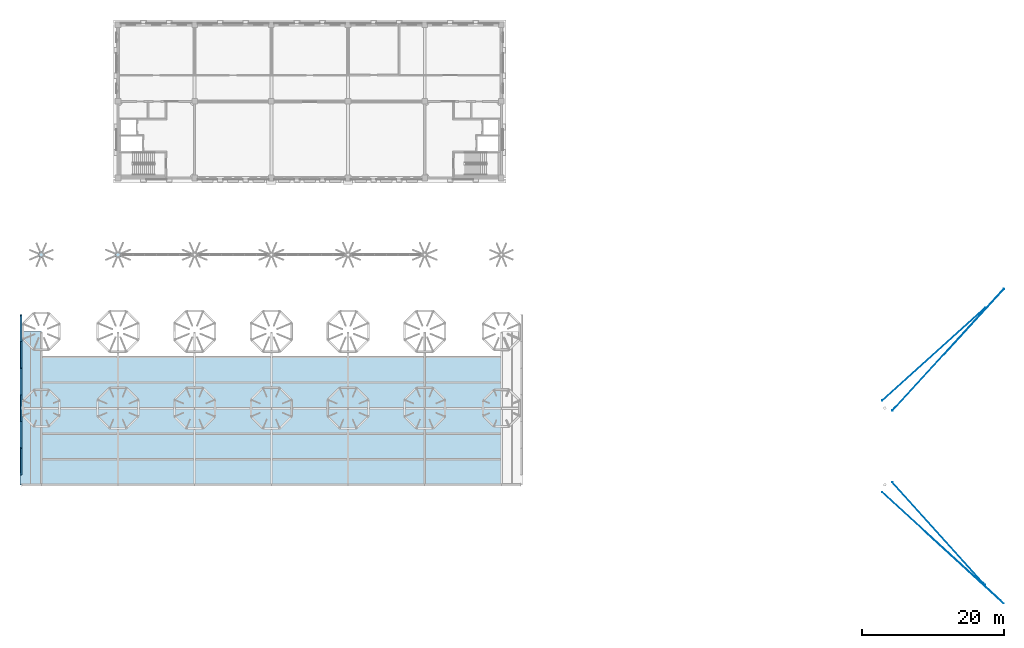
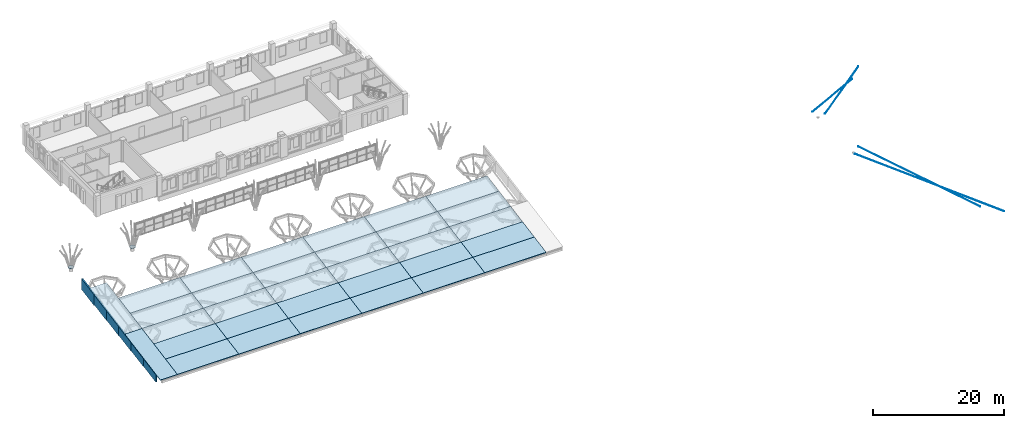
# One storey, part 17 of 42: 32 slabs, 8 plates, 4 members.
"""IFC4 building model written with IfcOpenShell, lengths in metres."""

from ifc_helpers import new_model, si_unit, direction, frame, origin, origin_2d, place, context, subcontext, project, spatial, polyline, circle, outline, extrude, material, layer, layer_set, material_profile, profile_set, type_object, element, save


model = new_model("IFC4")

# Units and contexts
model_context = context("Model", 3, precision=1e-05, world=origin(), true_north=direction((0.0, 1.0)))
body_context = subcontext(model_context, "Body", "Model", "MODEL_VIEW")
ifc_project = project(units=[si_unit("LENGTHUNIT", "METRE"), si_unit("AREAUNIT", "SQUARE_METRE"), si_unit("VOLUMEUNIT", "CUBIC_METRE"), si_unit("PLANEANGLEUNIT", "RADIAN"), si_unit("MASSUNIT", "GRAM", prefix="KILO")], contexts=[model_context])

# Site, building, storey
site_placement = place(None, origin())
site = spatial("IfcSite", under=ifc_project, at=site_placement, CompositionType="ELEMENT")
building_placement = place(site_placement, origin())
building = spatial("IfcBuilding", under=site, at=building_placement, Name="Magnolia Steps Interchange", CompositionType="ELEMENT")
storey_placement = place(building_placement, frame((0.0, 0.0, 12.60009765625)))
storey = spatial("IfcBuildingStorey", under=building, at=storey_placement, Name="L03", CompositionType="ELEMENT", Elevation=12.60009765625)

# Members
ifc_material_1 = material(Name="Steel S690 galvanised spiral strand rope", Category="steel")
ifc_material_profile_1 = material_profile(ifc_material_1, circle(Radius=0.030029296875, at=origin_2d()), Name="CABLE60")
ifc_profile_set_1 = profile_set([ifc_material_profile_1], Name="Steel S690 galvanised spiral strand rope")
member_type = type_object("IfcMemberType", Name="Cable stay CABLE60", PredefinedType="USERDEFINED", material=ifc_profile_set_1)
member_1_placement = place(storey_placement, frame((173.060791015625, 53.5537109375, 0.568603515625), z_axis=(0.631155779788, -0.699459569326, -0.335259142333), x_axis=(0.742426815236, 0.669927178146, 0.0)))
element("IfcMember", 1, at=member_1_placement, inside=storey, type_object=member_type, Name="Stay cable SP-C-SE-1", ObjectType="Cable stay", PredefinedType="USERDEFINED", context=body_context, shape_type="SweptSolid", body=[
    extrude(circle(Radius=0.030029296875, at=origin_2d()), origin(), (0.0, 0.0, 1.0), 20.709716796875),
])
member_2_placement = place(storey_placement, frame((171.646484375, 52.139404296875, 0.568603515625), z_axis=(0.704407407951, -0.646210852637, -0.293635381992), x_axis=(0.676011114118, 0.736891425916, 0.0)))
element("IfcMember", 2, at=member_2_placement, inside=storey, type_object=member_type, Name="Stay cable SP-C-SE-2", ObjectType="Cable stay", PredefinedType="USERDEFINED", context=body_context, shape_type="SweptSolid", body=[
    extrude(circle(Radius=0.030029296875, at=origin_2d()), origin(), (0.0, 0.0, 1.0), 24.298095703125),
])
member_3_placement = place(storey_placement, frame((171.646484375, 65.060791015625, 0.568603515625), z_axis=(0.699453548093, 0.631160984146, -0.3352619068), x_axis=(-0.669933401736, 0.742421199346, 0.0)))
element("IfcMember", 3, at=member_3_placement, inside=storey, type_object=member_type, Name="Stay cable SP-C-NE-1", ObjectType="Cable stay", PredefinedType="USERDEFINED", context=body_context, shape_type="SweptSolid", body=[
    extrude(circle(Radius=0.030029296875, at=origin_2d()), origin(), (0.0, 0.0, 1.0), 20.70947265625),
])
member_4_placement = place(storey_placement, frame((173.060791015625, 63.646484375, 0.568603515625), z_axis=(0.646205000656, 0.704411981652, -0.29363728856), x_axis=(-0.736896662004, 0.676005406434, 0.0)))
element("IfcMember", 4, at=member_4_placement, inside=storey, type_object=member_type, Name="Stay cable SP-C-NE-2", ObjectType="Cable stay", PredefinedType="USERDEFINED", context=body_context, shape_type="SweptSolid", body=[
    extrude(circle(Radius=0.030029296875, at=origin_2d()), origin(), (0.0, 0.0, 1.0), 24.2978515625),
])

# Slabs
ifc_material_2 = material(Name="Concrete C30", Category="concrete")
ifc_layer_1 = layer(ifc_material_2, 0.10009765625)
ifc_layer_set_1 = layer_set([ifc_layer_1], Name="Composite roof deck 100")
slab_type = type_object("IfcSlabType", Name="Composite roof deck 100", PredefinedType="ROOF", material=ifc_layer_set_1)
for number, where, z_axis, x_axis, name in (
    (5, (50.199951171875, 53.199951171875, 0.42431640625), (0.0, -0.179938102664, 0.983677934697), (1.0, 0.0, 0.0), "Composite roof deck panel"),
    (6, (50.199951171875, 64.0, 2.39990234375), (0.0, -0.179938102664, 0.983677934697), (1.0, 0.0, 0.0), "Composite roof deck panel"),
):
    element("IfcSlab", number, at=place(storey_placement, frame(where, z_axis=z_axis, x_axis=x_axis)), inside=storey, type_object=slab_type, Name=name, PredefinedType="ROOF", context=body_context, shape_type="SweptSolid", body=[
        extrude(outline(polyline([(0.0, 0.0), (3.0, 0.0), (3.0, 10.979252911), (0.0, 10.979252911), (0.0, 0.0)])), origin(), (0.0, -0.179938102664, -0.983677934697), 0.1015625),
    ])
slab_1_placement = place(storey_placement, frame((64.0, 53.199951171875, 0.42431640625), z_axis=(0.0, -0.179912650592, 0.983682590146), x_axis=(0.0, 0.983682590146, 0.179912650592)))
element("IfcSlab", 7, at=slab_1_placement, inside=storey, type_object=slab_type, Name="Composite roof deck panel", PredefinedType="ROOF", context=body_context, shape_type="SweptSolid", body=[
    extrude(outline(polyline([(0.0, 0.0), (3.65981638, 0.0), (3.65981638, 10.800048828), (0.0, 10.800048828), (0.0, 0.0)])), origin(), (-0.179912650592, 0.0, -0.983682590146), 0.1015625),
])
slab_2_placement = place(storey_placement, frame((64.0, 56.800048828125, 1.082763671875), z_axis=(0.0, -0.179989009178, 0.983668621323), x_axis=(0.0, 0.983668621323, 0.179989009178)))
element("IfcSlab", 8, at=slab_2_placement, inside=storey, type_object=slab_type, Name="Composite roof deck panel", PredefinedType="ROOF", context=body_context, shape_type="SweptSolid", body=[
    extrude(outline(polyline([(0.0, 0.0), (3.659620158, 0.0), (3.659620158, 10.800048828), (0.0, 10.800048828), (0.0, 0.0)])), origin(), (-0.179989009178, 0.0, -0.983668621323), 0.1015625),
])
for number, where, z_axis, x_axis, name in (
    (9, (64.0, 60.39990234375, 1.741455078125), (0.0, -0.179912650592, 0.983682590146), (0.0, 0.983682590146, 0.179912650592), "Composite roof deck panel"),
    (10, (64.0, 64.0, 2.39990234375), (0.0, -0.179912650592, 0.983682590146), (0.0, 0.983682590146, 0.179912650592), "Composite roof deck panel"),
):
    element("IfcSlab", number, at=place(storey_placement, frame(where, z_axis=z_axis, x_axis=x_axis)), inside=storey, type_object=slab_type, Name=name, PredefinedType="ROOF", context=body_context, shape_type="SweptSolid", body=[
        extrude(outline(polyline([(0.0, 0.0), (3.65981638, 0.0), (3.65981638, 10.800048828), (0.0, 10.800048828), (0.0, 0.0)])), origin(), (-0.179912650592, 0.0, -0.983682590146), 0.1015625),
    ])
slab_3_placement = place(storey_placement, frame((64.0, 67.60009765625, 3.058349609375), z_axis=(0.0, -0.179989009178, 0.983668621323), x_axis=(0.0, 0.983668621323, 0.179989009178)))
element("IfcSlab", 11, at=slab_3_placement, inside=storey, type_object=slab_type, Name="Composite roof deck panel", PredefinedType="ROOF", context=body_context, shape_type="SweptSolid", body=[
    extrude(outline(polyline([(0.0, 0.0), (3.659620158, 0.0), (3.659620158, 10.800048828), (0.0, 10.800048828), (0.0, 0.0)])), origin(), (-0.179989009178, 0.0, -0.983668621323), 0.1015625),
])
slab_4_placement = place(storey_placement, frame((74.800048828125, 53.199951171875, 0.42431640625), z_axis=(0.0, -0.179912650592, 0.983682590146), x_axis=(0.0, 0.983682590146, 0.179912650592)))
element("IfcSlab", 12, at=slab_4_placement, inside=storey, type_object=slab_type, Name="Composite roof deck panel", PredefinedType="ROOF", context=body_context, shape_type="SweptSolid", body=[
    extrude(outline(polyline([(0.0, 0.0), (3.65981638, 0.0), (3.65981638, 10.800048828), (0.0, 10.800048828), (0.0, 0.0)])), origin(), (-0.179912650592, 0.0, -0.983682590146), 0.1015625),
])
slab_5_placement = place(storey_placement, frame((74.800048828125, 56.800048828125, 1.082763671875), z_axis=(0.0, -0.179989009178, 0.983668621323), x_axis=(0.0, 0.983668621323, 0.179989009178)))
element("IfcSlab", 13, at=slab_5_placement, inside=storey, type_object=slab_type, Name="Composite roof deck panel", PredefinedType="ROOF", context=body_context, shape_type="SweptSolid", body=[
    extrude(outline(polyline([(0.0, 0.0), (3.659620158, 0.0), (3.659620158, 10.800048828), (0.0, 10.800048828), (0.0, 0.0)])), origin(), (-0.179989009178, 0.0, -0.983668621323), 0.1015625),
])
for number, where, z_axis, x_axis, name in (
    (14, (74.800048828125, 60.39990234375, 1.741455078125), (0.0, -0.179912650592, 0.983682590146), (0.0, 0.983682590146, 0.179912650592), "Composite roof deck panel"),
    (15, (74.800048828125, 64.0, 2.39990234375), (0.0, -0.179912650592, 0.983682590146), (0.0, 0.983682590146, 0.179912650592), "Composite roof deck panel"),
):
    element("IfcSlab", number, at=place(storey_placement, frame(where, z_axis=z_axis, x_axis=x_axis)), inside=storey, type_object=slab_type, Name=name, PredefinedType="ROOF", context=body_context, shape_type="SweptSolid", body=[
        extrude(outline(polyline([(0.0, 0.0), (3.65981638, 0.0), (3.65981638, 10.800048828), (0.0, 10.800048828), (0.0, 0.0)])), origin(), (-0.179912650592, 0.0, -0.983682590146), 0.1015625),
    ])
slab_6_placement = place(storey_placement, frame((74.800048828125, 67.60009765625, 3.058349609375), z_axis=(0.0, -0.179989009178, 0.983668621323), x_axis=(0.0, 0.983668621323, 0.179989009178)))
element("IfcSlab", 16, at=slab_6_placement, inside=storey, type_object=slab_type, Name="Composite roof deck panel", PredefinedType="ROOF", context=body_context, shape_type="SweptSolid", body=[
    extrude(outline(polyline([(0.0, 0.0), (3.659620158, 0.0), (3.659620158, 10.800048828), (0.0, 10.800048828), (0.0, 0.0)])), origin(), (-0.179989009178, 0.0, -0.983668621323), 0.1015625),
])
slab_7_placement = place(storey_placement, frame((85.60009765625, 53.199951171875, 0.42431640625), z_axis=(0.0, -0.179912650592, 0.983682590146), x_axis=(0.0, 0.983682590146, 0.179912650592)))
element("IfcSlab", 17, at=slab_7_placement, inside=storey, type_object=slab_type, Name="Composite roof deck panel", PredefinedType="ROOF", context=body_context, shape_type="SweptSolid", body=[
    extrude(outline(polyline([(0.0, 0.0), (3.65981638, 0.0), (3.65981638, 10.800048828), (0.0, 10.800048828), (0.0, 0.0)])), origin(), (-0.179912650592, 0.0, -0.983682590146), 0.1015625),
])
slab_8_placement = place(storey_placement, frame((85.60009765625, 56.800048828125, 1.082763671875), z_axis=(0.0, -0.179989009178, 0.983668621323), x_axis=(0.0, 0.983668621323, 0.179989009178)))
element("IfcSlab", 18, at=slab_8_placement, inside=storey, type_object=slab_type, Name="Composite roof deck panel", PredefinedType="ROOF", context=body_context, shape_type="SweptSolid", body=[
    extrude(outline(polyline([(0.0, 0.0), (3.659620158, 0.0), (3.659620158, 10.800048828), (0.0, 10.800048828), (0.0, 0.0)])), origin(), (-0.179989009178, 0.0, -0.983668621323), 0.1015625),
])
for number, where, z_axis, x_axis, name in (
    (19, (85.60009765625, 60.39990234375, 1.741455078125), (0.0, -0.179912650592, 0.983682590146), (0.0, 0.983682590146, 0.179912650592), "Composite roof deck panel"),
    (20, (85.60009765625, 64.0, 2.39990234375), (0.0, -0.179912650592, 0.983682590146), (0.0, 0.983682590146, 0.179912650592), "Composite roof deck panel"),
):
    element("IfcSlab", number, at=place(storey_placement, frame(where, z_axis=z_axis, x_axis=x_axis)), inside=storey, type_object=slab_type, Name=name, PredefinedType="ROOF", context=body_context, shape_type="SweptSolid", body=[
        extrude(outline(polyline([(0.0, 0.0), (3.65981638, 0.0), (3.65981638, 10.800048828), (0.0, 10.800048828), (0.0, 0.0)])), origin(), (-0.179912650592, 0.0, -0.983682590146), 0.1015625),
    ])
slab_9_placement = place(storey_placement, frame((85.60009765625, 67.60009765625, 3.058349609375), z_axis=(0.0, -0.179989009178, 0.983668621323), x_axis=(0.0, 0.983668621323, 0.179989009178)))
element("IfcSlab", 21, at=slab_9_placement, inside=storey, type_object=slab_type, Name="Composite roof deck panel", PredefinedType="ROOF", context=body_context, shape_type="SweptSolid", body=[
    extrude(outline(polyline([(0.0, 0.0), (3.659620158, 0.0), (3.659620158, 10.800048828), (0.0, 10.800048828), (0.0, 0.0)])), origin(), (-0.179989009178, 0.0, -0.983668621323), 0.1015625),
])
slab_10_placement = place(storey_placement, frame((96.39990234375, 53.199951171875, 0.42431640625), z_axis=(0.0, -0.179912650592, 0.983682590146), x_axis=(0.0, 0.983682590146, 0.179912650592)))
element("IfcSlab", 22, at=slab_10_placement, inside=storey, type_object=slab_type, Name="Composite roof deck panel", PredefinedType="ROOF", context=body_context, shape_type="SweptSolid", body=[
    extrude(outline(polyline([(0.0, 0.0), (3.65981638, 0.0), (3.65981638, 10.799804688), (0.0, 10.799804688), (0.0, 0.0)])), origin(), (-0.179912650592, 0.0, -0.983682590146), 0.1015625),
])
slab_11_placement = place(storey_placement, frame((96.39990234375, 56.800048828125, 1.082763671875), z_axis=(0.0, -0.179989009178, 0.983668621323), x_axis=(0.0, 0.983668621323, 0.179989009178)))
element("IfcSlab", 23, at=slab_11_placement, inside=storey, type_object=slab_type, Name="Composite roof deck panel", PredefinedType="ROOF", context=body_context, shape_type="SweptSolid", body=[
    extrude(outline(polyline([(0.0, 0.0), (3.659620158, 0.0), (3.659620158, 10.799804688), (0.0, 10.799804688), (0.0, 0.0)])), origin(), (-0.179989009178, 0.0, -0.983668621323), 0.1015625),
])
for number, where, z_axis, x_axis, name in (
    (24, (96.39990234375, 60.39990234375, 1.741455078125), (0.0, -0.179912650592, 0.983682590146), (0.0, 0.983682590146, 0.179912650592), "Composite roof deck panel"),
    (25, (96.39990234375, 64.0, 2.39990234375), (0.0, -0.179912650592, 0.983682590146), (0.0, 0.983682590146, 0.179912650592), "Composite roof deck panel"),
):
    element("IfcSlab", number, at=place(storey_placement, frame(where, z_axis=z_axis, x_axis=x_axis)), inside=storey, type_object=slab_type, Name=name, PredefinedType="ROOF", context=body_context, shape_type="SweptSolid", body=[
        extrude(outline(polyline([(0.0, 0.0), (3.65981638, 0.0), (3.65981638, 10.799804688), (0.0, 10.799804688), (0.0, 0.0)])), origin(), (-0.179912650592, 0.0, -0.983682590146), 0.1015625),
    ])
slab_12_placement = place(storey_placement, frame((96.39990234375, 67.60009765625, 3.058349609375), z_axis=(0.0, -0.179989009178, 0.983668621323), x_axis=(0.0, 0.983668621323, 0.179989009178)))
element("IfcSlab", 26, at=slab_12_placement, inside=storey, type_object=slab_type, Name="Composite roof deck panel", PredefinedType="ROOF", context=body_context, shape_type="SweptSolid", body=[
    extrude(outline(polyline([(0.0, 0.0), (3.659620158, 0.0), (3.659620158, 10.799804688), (0.0, 10.799804688), (0.0, 0.0)])), origin(), (-0.179989009178, 0.0, -0.983668621323), 0.1015625),
])
slab_13_placement = place(storey_placement, frame((107.199951171875, 53.199951171875, 0.42431640625), z_axis=(0.0, -0.179912650592, 0.983682590146), x_axis=(0.0, 0.983682590146, 0.179912650592)))
element("IfcSlab", 27, at=slab_13_placement, inside=storey, type_object=slab_type, Name="Composite roof deck panel", PredefinedType="ROOF", context=body_context, shape_type="SweptSolid", body=[
    extrude(outline(polyline([(0.0, 0.0), (3.65981638, 0.0), (3.65981638, 10.800048828), (0.0, 10.800048828), (0.0, 0.0)])), origin(), (-0.179912650592, 0.0, -0.983682590146), 0.1015625),
])
slab_14_placement = place(storey_placement, frame((107.199951171875, 56.800048828125, 1.082763671875), z_axis=(0.0, -0.179989009178, 0.983668621323), x_axis=(0.0, 0.983668621323, 0.179989009178)))
element("IfcSlab", 28, at=slab_14_placement, inside=storey, type_object=slab_type, Name="Composite roof deck panel", PredefinedType="ROOF", context=body_context, shape_type="SweptSolid", body=[
    extrude(outline(polyline([(0.0, 0.0), (3.659620158, 0.0), (3.659620158, 10.800048828), (0.0, 10.800048828), (0.0, 0.0)])), origin(), (-0.179989009178, 0.0, -0.983668621323), 0.1015625),
])
for number, where, z_axis, x_axis, name in (
    (29, (107.199951171875, 60.39990234375, 1.741455078125), (0.0, -0.179912650592, 0.983682590146), (0.0, 0.983682590146, 0.179912650592), "Composite roof deck panel"),
    (30, (107.199951171875, 64.0, 2.39990234375), (0.0, -0.179912650592, 0.983682590146), (0.0, 0.983682590146, 0.179912650592), "Composite roof deck panel"),
):
    element("IfcSlab", number, at=place(storey_placement, frame(where, z_axis=z_axis, x_axis=x_axis)), inside=storey, type_object=slab_type, Name=name, PredefinedType="ROOF", context=body_context, shape_type="SweptSolid", body=[
        extrude(outline(polyline([(0.0, 0.0), (3.65981638, 0.0), (3.65981638, 10.800048828), (0.0, 10.800048828), (0.0, 0.0)])), origin(), (-0.179912650592, 0.0, -0.983682590146), 0.1015625),
    ])
slab_15_placement = place(storey_placement, frame((107.199951171875, 67.60009765625, 3.058349609375), z_axis=(0.0, -0.179989009178, 0.983668621323), x_axis=(0.0, 0.983668621323, 0.179989009178)))
element("IfcSlab", 31, at=slab_15_placement, inside=storey, type_object=slab_type, Name="Composite roof deck panel", PredefinedType="ROOF", context=body_context, shape_type="SweptSolid", body=[
    extrude(outline(polyline([(0.0, 0.0), (3.659620158, 0.0), (3.659620158, 10.800048828), (0.0, 10.800048828), (0.0, 0.0)])), origin(), (-0.179989009178, 0.0, -0.983668621323), 0.1015625),
])
slab_16_placement = place(storey_placement, frame((118.0, 53.199951171875, 0.42431640625), z_axis=(0.0, -0.179912650592, 0.983682590146), x_axis=(0.0, 0.983682590146, 0.179912650592)))
element("IfcSlab", 32, at=slab_16_placement, inside=storey, type_object=slab_type, Name="Composite roof deck panel", PredefinedType="ROOF", context=body_context, shape_type="SweptSolid", body=[
    extrude(outline(polyline([(0.0, 0.0), (3.65981638, 0.0), (3.65981638, 10.800048828), (0.0, 10.800048828), (0.0, 0.0)])), origin(), (-0.179912650592, 0.0, -0.983682590146), 0.1015625),
])
slab_17_placement = place(storey_placement, frame((118.0, 56.800048828125, 1.082763671875), z_axis=(0.0, -0.179989009178, 0.983668621323), x_axis=(0.0, 0.983668621323, 0.179989009178)))
element("IfcSlab", 33, at=slab_17_placement, inside=storey, type_object=slab_type, Name="Composite roof deck panel", PredefinedType="ROOF", context=body_context, shape_type="SweptSolid", body=[
    extrude(outline(polyline([(0.0, 0.0), (3.659620158, 0.0), (3.659620158, 10.800048828), (0.0, 10.800048828), (0.0, 0.0)])), origin(), (-0.179989009178, 0.0, -0.983668621323), 0.1015625),
])
for number, where, z_axis, x_axis, name in (
    (34, (118.0, 60.39990234375, 1.741455078125), (0.0, -0.179912650592, 0.983682590146), (0.0, 0.983682590146, 0.179912650592), "Composite roof deck panel"),
    (35, (118.0, 64.0, 2.39990234375), (0.0, -0.179912650592, 0.983682590146), (0.0, 0.983682590146, 0.179912650592), "Composite roof deck panel"),
):
    element("IfcSlab", number, at=place(storey_placement, frame(where, z_axis=z_axis, x_axis=x_axis)), inside=storey, type_object=slab_type, Name=name, PredefinedType="ROOF", context=body_context, shape_type="SweptSolid", body=[
        extrude(outline(polyline([(0.0, 0.0), (3.65981638, 0.0), (3.65981638, 10.800048828), (0.0, 10.800048828), (0.0, 0.0)])), origin(), (-0.179912650592, 0.0, -0.983682590146), 0.1015625),
    ])
slab_18_placement = place(storey_placement, frame((118.0, 67.60009765625, 3.058349609375), z_axis=(0.0, -0.179989009178, 0.983668621323), x_axis=(0.0, 0.983668621323, 0.179989009178)))
element("IfcSlab", 36, at=slab_18_placement, inside=storey, type_object=slab_type, Name="Composite roof deck panel", PredefinedType="ROOF", context=body_context, shape_type="SweptSolid", body=[
    extrude(outline(polyline([(0.0, 0.0), (3.659620158, 0.0), (3.659620158, 10.800048828), (0.0, 10.800048828), (0.0, 0.0)])), origin(), (-0.179989009178, 0.0, -0.983668621323), 0.1015625),
])

# Plates
ifc_material_3 = material(Name="White painted steel", Category="steel")
ifc_layer_2 = layer(ifc_material_3, 0.25)
ifc_layer_set_2 = layer_set([ifc_layer_2], Name="Fascia plate 250")
plate_type_1 = type_object("IfcPlateType", Name="Fascia plate 250", PredefinedType="SHEET", material=ifc_layer_set_2)
plate_1_placement = place(storey_placement, frame((50.199951171875, 77.183349609375, 2.709716796875), z_axis=(-0.999999507209, -0.000178627043, 0.000976562019), x_axis=(0.0, -0.983679608713, -0.179928950984)))
element("IfcPlate", 37, at=plate_1_placement, inside=storey, type_object=plate_type_1, Name="Sloping fascia plate", PredefinedType="SHEET", context=body_context, shape_type="SweptSolid", body=[
    extrude(outline(polyline([(0.0, 0.0), (3.829093873, 0.0), (3.469235971, 1.967360187), (-0.359857902, 1.967360187), (0.0, 0.0)])), origin(), (0.0, 0.0, -1.0), 0.25),
])
plate_2_placement = place(storey_placement, frame((50.199951171875, 73.416748046875, 2.220703125), z_axis=(-0.999999391652, -0.000198456222, 0.001085039351), x_axis=(0.0, -0.983681672692, -0.179917666753)))
element("IfcPlate", 38, at=plate_2_placement, inside=storey, type_object=plate_type_1, Name="Sloping fascia plate", PredefinedType="SHEET", context=body_context, shape_type="SweptSolid", body=[
    extrude(outline(polyline([(0.0, 0.0), (3.829334029, 0.0), (3.505473444, 1.770676119), (-0.323860585, 1.770676119), (0.0, 0.0)])), origin(), (0.0, 0.0, -1.0), 0.25),
])
plate_3_placement = place(storey_placement, frame((50.199951171875, 69.64990234375, 1.6318359375), z_axis=(-0.999999317898, -0.000210155459, 0.001148929275), x_axis=(0.0, -0.983679608713, -0.179928950984)))
element("IfcPlate", 39, at=plate_3_placement, inside=storey, type_object=plate_type_1, Name="Sloping fascia plate", PredefinedType="SHEET", context=body_context, shape_type="SweptSolid", body=[
    extrude(outline(polyline([(0.0, 0.0), (3.829093873, 0.0), (3.523223442, 1.672208444), (-0.305870431, 1.672208444), (0.0, 0.0)])), origin(), (0.0, 0.0, -1.0), 0.25),
])
plate_4_placement = place(storey_placement, frame((50.199951171875, 65.88330078125, 1.042724609375), z_axis=(-0.999999229983, -0.000223326711, 0.001220720812), x_axis=(3.8916e-08, -0.983679608704, -0.179928951032)))
element("IfcPlate", 40, at=plate_4_placement, inside=storey, type_object=plate_type_1, Name="Sloping fascia plate", PredefinedType="SHEET", context=body_context, shape_type="SweptSolid", body=[
    extrude(outline(polyline([(0.0, 0.0), (3.829093873, 0.0), (3.541233908, 1.573744492), (-0.287903893, 1.573984648), (0.0, 0.0)])), origin(), (0.0, 0.0, -1.0), 0.25),
])
plate_5_placement = place(storey_placement, frame((50.199951171875, 62.11669921875, 0.45361328125), z_axis=(-0.999999123928, -0.000238169299, 0.001302082193), x_axis=(0.0, -0.983679608713, -0.179928950984)))
element("IfcPlate", 41, at=plate_5_placement, inside=storey, type_object=plate_type_1, Name="Sloping fascia plate", PredefinedType="SHEET", context=body_context, shape_type="SweptSolid", body=[
    extrude(outline(polyline([(0.0, 0.0), (3.829093873, 0.0), (3.559200446, 1.475520706), (-0.269893426, 1.475520706), (0.0, 0.0)])), origin(), (0.0, 0.0, -1.0), 0.25),
])
plate_6_placement = place(storey_placement, frame((50.199951171875, 58.35009765625, -0.13525390625), z_axis=(-0.99999899417, -0.00025518262, 0.001395185203), x_axis=(0.0, -0.983681672692, -0.179917666753)))
element("IfcPlate", 42, at=plate_6_placement, inside=storey, type_object=plate_type_1, Name="Sloping fascia plate", PredefinedType="SHEET", context=body_context, shape_type="SweptSolid", body=[
    extrude(outline(polyline([(0.0, 0.0), (3.829334029, 0.0), (3.577466866, 1.377059664), (-0.251867163, 1.377059664), (0.0, 0.0)])), origin(), (0.0, 0.0, -1.0), 0.25),
])
ifc_material_4 = material(Name="Steel Q355B", Category="steel")
ifc_material_profile_2 = material_profile(ifc_material_4, circle(Radius=0.449951171875, at=origin_2d()), Name="Tree head plate 900 x 30")
ifc_profile_set_2 = profile_set([ifc_material_profile_2], Name="Steel Q355B")
plate_type_2 = type_object("IfcPlateType", Name="Tree head plate 900 x 30", PredefinedType="SHEET", material=ifc_profile_set_2)
for number, where, z_axis, x_axis, name in (
    (43, (53.199951171875, 85.60009765625, 0.691162109375), (0.0, 0.0, 1.0), (1.0, 0.0, 0.0), "Tree head plate TH01E"),
    (44, (64.0, 85.60009765625, 0.691162109375), (0.0, 0.0, 1.0), (1.0, 0.0, 0.0), "Tree head plate TH02E"),
):
    element("IfcPlate", number, at=place(storey_placement, frame(where, z_axis=z_axis, x_axis=x_axis)), inside=storey, type_object=plate_type_2, Name=name, PredefinedType="SHEET", context=body_context, shape_type="SweptSolid", body=[
        extrude(circle(Radius=0.449951171875, at=origin_2d()), origin(), (0.0, 0.0, 1.0), 0.030029296875),
    ])

save(model, "model.ifc")
